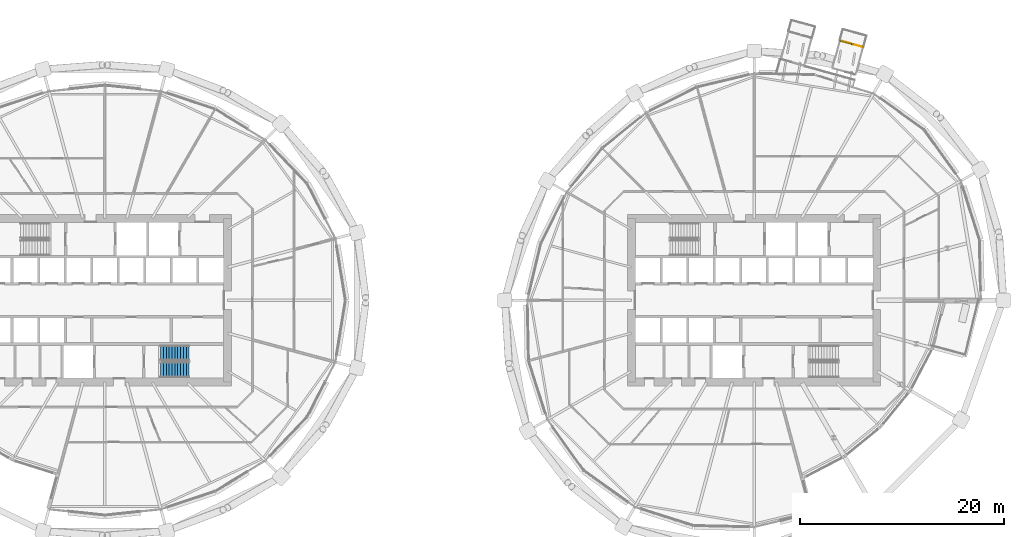
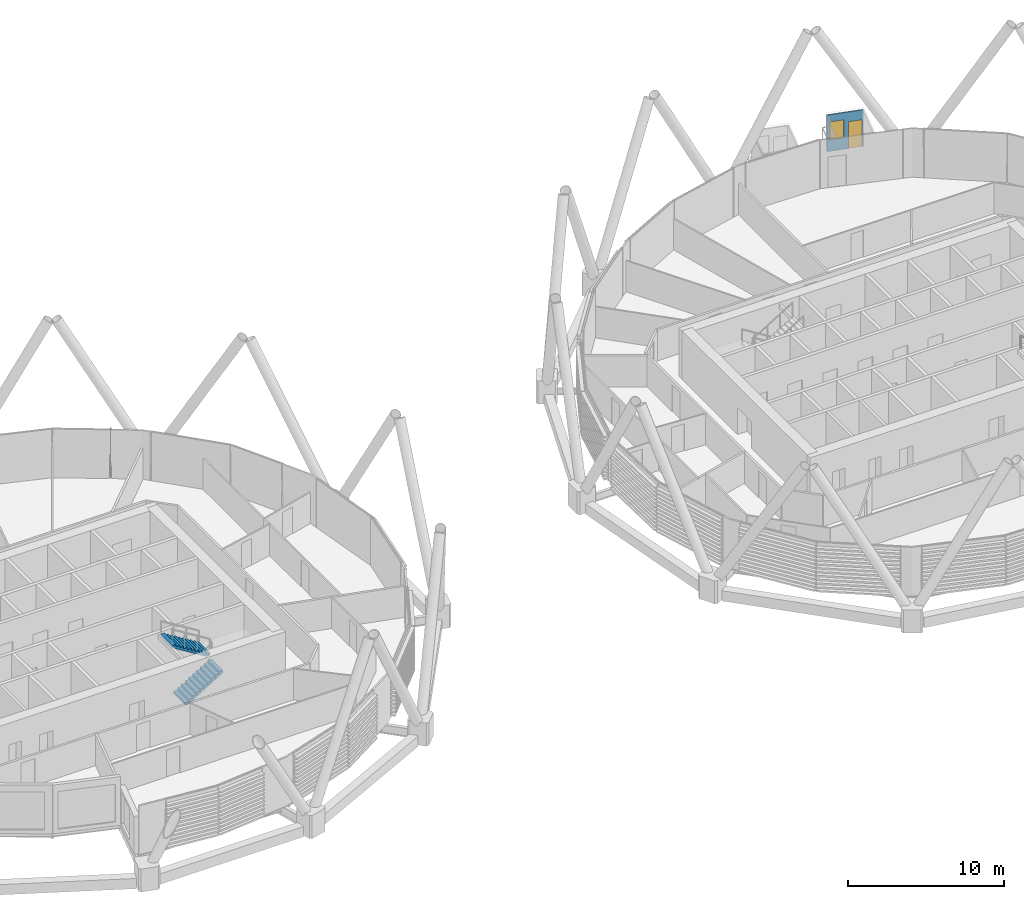
# One storey, part 29 of 38: 2 stair flights, 1 door, 1 wall, 1 window, 2 openings, 1 element without a shape of its own.
"""IFC4 building model written with IfcOpenShell, lengths in metres."""

from ifc_helpers import new_model, si_unit, direction, frame, frame_2d, origin, place, context, subcontext, project, spatial, polyline, rectangle, outline, extrude, material, layer, layer_set, type_object, element, fill, aggregate, save


model = new_model("IFC4")

# Units and contexts
model_context = context("Model", 3, precision=1e-05, world=origin(), true_north=direction((0.0, 1.0)))
body_context = subcontext(model_context, "Body", "Model", "MODEL_VIEW")
ifc_project = project(units=[si_unit("LENGTHUNIT", "METRE"), si_unit("AREAUNIT", "SQUARE_METRE"), si_unit("VOLUMEUNIT", "CUBIC_METRE"), si_unit("PLANEANGLEUNIT", "RADIAN"), si_unit("MASSUNIT", "GRAM", prefix="KILO")], contexts=[model_context])

# Site, building, storey
site_placement = place(None, origin())
site = spatial("IfcSite", under=ifc_project, at=site_placement, CompositionType="ELEMENT")
building_placement = place(site_placement, origin())
building = spatial("IfcBuilding", under=site, at=building_placement, Name="Rimbun Link Towers", CompositionType="ELEMENT")
storey_placement = place(building_placement, frame((0.0, 0.0, 93.0)))
storey = spatial("IfcBuildingStorey", under=building, at=storey_placement, Name="L22", CompositionType="ELEMENT", Elevation=93.0)

# Wall, openings, door, window
ifc_material_1 = material(Name="Terracotta-faced insulated sandwich panel", Category="masonry")
ifc_layer = layer(ifc_material_1, 0.10009765625)
ifc_layer_set = layer_set([ifc_layer], Name="CAPSULE entrance panel 100")
wall_type = type_object("IfcWallType", Name="CAPSULE entrance panel 100", PredefinedType="STANDARD", material=ifc_layer_set)
wall_placement = place(storey_placement, frame((42.427490234375, 24.75634765625, 0.0), z_axis=(0.0, 0.0, 1.0), x_axis=(-0.964283368095, 0.264872773262, 0.0)))
wall = element("IfcWall", 1, at=wall_placement, inside=storey, type_object=wall_type, Name="CAPSULE D222.02 shell panel 2", PredefinedType="STANDARD", context=body_context, shape_type="SweptSolid", body=[
    extrude(rectangle(XDim=2.400146484375, YDim=0.10009765625, at=frame_2d((1.2001953125, 0.0))), origin(), (0.0, 0.0, 1.0), 2.85009765625),
])
opening_1_placement = place(wall_placement, frame((0.10009765625, 0.0, 0.0)))
opening_1 = element("IfcOpeningElement", 2, at=opening_1_placement, cuts=wall, Name="Opening CD22.02", PredefinedType="OPENING", context=body_context, shape_type="SweptSolid", body=[
    extrude(rectangle(XDim=0.89990234375, YDim=2.10009765625, at=frame_2d((0.449951171875, 1.050048828125))), frame((0.0, 0.06005859375, 0.0), z_axis=(0.0, -1.0, 0.0), x_axis=(1.0, 0.0, 0.0)), (0.0, 0.0, 1.0), 0.1201171875),
])
opening_2_placement = place(wall_placement, frame((1.300048828125, 0.0, 0.89990234375)))
opening_2 = element("IfcOpeningElement", 3, at=opening_2_placement, cuts=wall, Name="Opening CN22.02", PredefinedType="OPENING", context=body_context, shape_type="SweptSolid", body=[
    extrude(rectangle(XDim=0.89990234375, YDim=1.39990234375, at=frame_2d((0.449951171875, 0.699951171875))), frame((0.0, 0.06005859375, 0.0), z_axis=(0.0, -1.0, 0.0), x_axis=(1.0, 0.0, 0.0)), (0.0, 0.0, 1.0), 0.1201171875),
])
ifc_material_2 = material(Name="Aluminium framed insulated door leaf", Category="aluminium")
door_type = type_object("IfcDoorType", Name="CAPSULE door single leaf 900X2100", OperationType="SINGLE_SWING_LEFT", PredefinedType="DOOR", material=ifc_material_2)
door_placement = place(opening_1_placement, origin())
door = element("IfcDoor", 4, at=door_placement, inside=storey, type_object=door_type, Name="CAPSULE D222.02 door", OperationType="SINGLE_SWING_RIGHT", OverallHeight=2.10009765625, OverallWidth=0.89990234375, PredefinedType="DOOR", context=body_context, shape_type="SweptSolid", body=[
    extrude(rectangle(XDim=0.89990234375, YDim=2.10009765625, at=frame_2d((0.449951171875, 1.050048828125))), frame((0.0, 0.02490234375, 0.0), z_axis=(0.0, -1.0, 0.0), x_axis=(1.0, 0.0, 0.0)), (0.0, 0.0, 1.0), 0.050048828125),
])
fill(opening_1, door)
ifc_material_3 = material(Name="Aluminium framed window, low-iron glass", Category="aluminium")
window_type = type_object("IfcWindowType", Name="CAPSULE window 900X1400", PartitioningType="SINGLE_PANEL", PredefinedType="WINDOW", material=ifc_material_3)
window_placement = place(opening_2_placement, origin())
window = element("IfcWindow", 5, at=window_placement, inside=storey, type_object=window_type, Name="CAPSULE D222.02 window", OverallHeight=1.39990234375, OverallWidth=0.89990234375, PartitioningType="SINGLE_PANEL", PredefinedType="WINDOW", context=body_context, shape_type="SweptSolid", body=[
    extrude(rectangle(XDim=0.89990234375, YDim=1.39990234375, at=frame_2d((0.449951171875, 0.699951171875))), frame((0.0, 0.030029296875, 0.0), z_axis=(0.0, -1.0, 0.0), x_axis=(1.0, 0.0, 0.0)), (0.0, 0.0, 1.0), 0.06005859375),
])
fill(opening_2, window)

# Stair, stair flights
ifc_material_4 = material(Name="Concrete C40/50", Category="concrete")
stair_type = type_object("IfcStairType", Name="Exit stair 3800 rise", PredefinedType="HALF_TURN_STAIR", material=ifc_material_4)
stair_placement = place(storey_placement, origin())
stair = element("IfcStair", 6, at=stair_placement, inside=storey, type_object=stair_type, Name="L22 EXIT STAIR B", PredefinedType="HALF_TURN_STAIR")
ifc_material_5 = material(Name="Concrete C40/50", Category="concrete")
stair_flight_type = type_object("IfcStairFlightType", Name="Exit stair flight 3800 rise", PredefinedType="STRAIGHT", material=ifc_material_5)
stair_flight_1_placement = place(storey_placement, frame((-26.300048828125, -6.800048828125, 0.0), z_axis=(0.0, 0.0, 1.0), x_axis=(1.0, 0.0, 0.0)))
stair_flight_1 = element("IfcStairFlight", 7, at=stair_flight_1_placement, type_object=stair_flight_type, Name="ST2 flight 1", NumberOfRisers=11, NumberOfTreads=10, PredefinedType="STRAIGHT", RiserHeight=0.172727273, TreadLength=0.28, context=body_context, shape_type="SweptSolid", body=[
    extrude(outline(polyline([(0.0, 0.0), (0.0, 0.172607421875), (0.280029296875, 0.172607421875), (0.280029296875, 0.345458984375), (0.56005859375, 0.345458984375), (0.56005859375, 0.51806640625), (0.840087890625, 0.51806640625), (0.840087890625, 0.69091796875), (1.1201171875, 0.69091796875), (1.1201171875, 0.863525390625), (1.39990234375, 0.863525390625), (1.39990234375, 1.036376953125), (1.679931640625, 1.036376953125), (1.679931640625, 1.208984375), (1.9599609375, 1.208984375), (1.9599609375, 1.3818359375), (2.239990234375, 1.3818359375), (2.239990234375, 1.554443359375), (2.52001953125, 1.554443359375), (2.52001953125, 1.727294921875), (2.800048828125, 1.727294921875), (2.800048828125, 1.89990234375), (2.800048828125, 1.551025390625), (0.280029296875, 0.0), (0.0, 0.0)])), frame((0.0, 0.75, 0.0), z_axis=(0.0, -1.0, 0.0), x_axis=(1.0, 0.0, 0.0)), (0.0, 0.0, 1.0), 1.5),
])
stair_flight_2_placement = place(storey_placement, frame((-23.5, -5.14990234375, 1.89990234375), z_axis=(0.0, 0.0, 1.0), x_axis=(-1.0, 0.0, 0.0)))
stair_flight_2 = element("IfcStairFlight", 8, at=stair_flight_2_placement, type_object=stair_flight_type, Name="ST2 flight 2", NumberOfRisers=11, NumberOfTreads=10, PredefinedType="STRAIGHT", RiserHeight=0.172727273, TreadLength=0.28, context=body_context, shape_type="SweptSolid", body=[
    extrude(outline(polyline([(0.0, 0.0), (0.0, 0.172607421875), (0.280029296875, 0.172607421875), (0.280029296875, 0.345458984375), (0.56005859375, 0.345458984375), (0.56005859375, 0.51806640625), (0.840087890625, 0.51806640625), (0.840087890625, 0.69091796875), (1.1201171875, 0.69091796875), (1.1201171875, 0.863525390625), (1.39990234375, 0.863525390625), (1.39990234375, 1.036376953125), (1.679931640625, 1.036376953125), (1.679931640625, 1.208984375), (1.9599609375, 1.208984375), (1.9599609375, 1.3818359375), (2.239990234375, 1.3818359375), (2.239990234375, 1.554443359375), (2.52001953125, 1.554443359375), (2.52001953125, 1.727294921875), (2.800048828125, 1.727294921875), (2.800048828125, 1.89990234375), (2.800048828125, 1.551025390625), (0.280029296875, 0.0), (0.0, 0.0)])), frame((0.0, 0.75, 0.0), z_axis=(0.0, -1.0, 0.0), x_axis=(1.0, 0.0, 0.0)), (0.0, 0.0, 1.0), 1.5),
])
aggregate(stair, [stair_flight_1, stair_flight_2])

save(model, "model.ifc")
